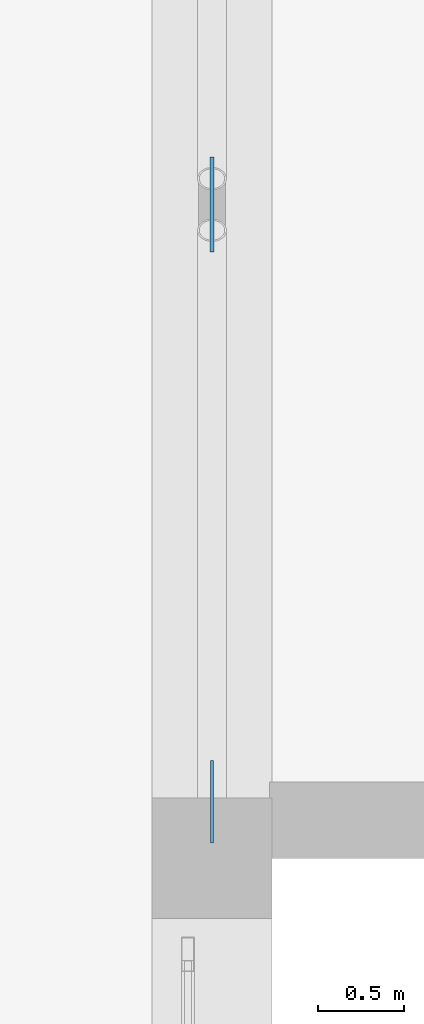
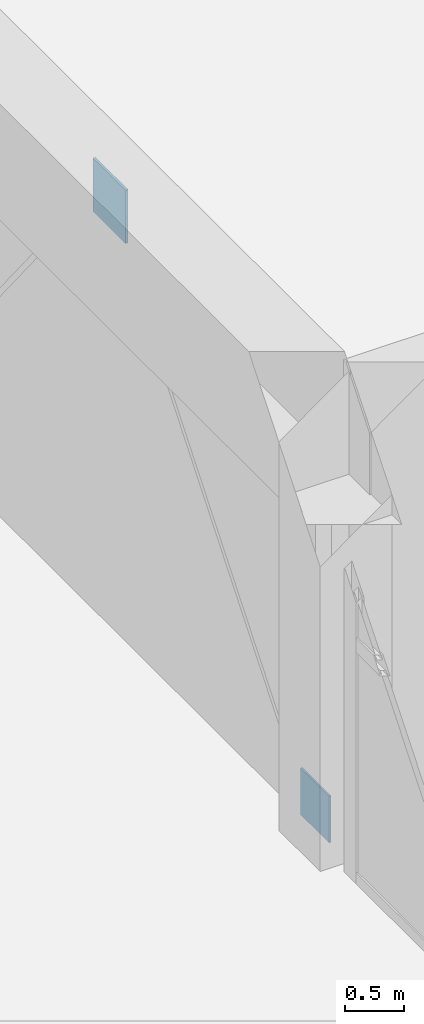
# One storey, part 59 of 72: 2 plates.
"""IFC4 building model written with IfcOpenShell, lengths in metres."""

from ifc_helpers import new_model, si_unit, direction, frame, origin, origin_2d, place, context, subcontext, project, spatial, rectangle, extrude, material, layer, layer_set, type_object, element, save


model = new_model("IFC4")

# Units and contexts
model_context = context("Model", 3, precision=1e-05, world=origin(), true_north=direction((0.0, 1.0)))
body_context = subcontext(model_context, "Body", "Model", "MODEL_VIEW")
ifc_project = project(units=[si_unit("LENGTHUNIT", "METRE"), si_unit("AREAUNIT", "SQUARE_METRE"), si_unit("VOLUMEUNIT", "CUBIC_METRE"), si_unit("PLANEANGLEUNIT", "RADIAN"), si_unit("MASSUNIT", "GRAM", prefix="KILO")], contexts=[model_context])

# Site, building, storey
site_placement = place(None, origin())
site = spatial("IfcSite", under=ifc_project, at=site_placement, CompositionType="ELEMENT")
building_placement = place(site_placement, origin())
building = spatial("IfcBuilding", under=site, at=building_placement, Name="Xicomal Pleat Aquarium", CompositionType="ELEMENT")
storey_placement = place(building_placement, frame((0.0, 0.0, 10.5)))
storey = spatial("IfcBuildingStorey", under=building, at=storey_placement, Name="L03", CompositionType="ELEMENT", Elevation=10.5)

# Plates
ifc_material_1 = material(Name="Structural steel A992 Gr 50", Category="steel")
ifc_layer_1 = layer(ifc_material_1, 0.02001953125)
ifc_layer_set_1 = layer_set([ifc_layer_1], Name="Structural steel A992 Gr 50")
plate_type_1 = type_object("IfcPlateType", Name="PLT-CAP-20", PredefinedType="SHEET", material=ifc_layer_set_1)
plate_1_placement = place(storey_placement, frame((94.199951171875, 38.330078125, -0.090087890625), z_axis=(0.0, 0.0, 1.0), x_axis=(0.0, 1.0, 0.0)))
element("IfcPlate", 1, at=plate_1_placement, inside=storey, type_object=plate_type_1, Name="L03 HSS end cap plate 18", PredefinedType="SHEET", context=body_context, shape_type="SweptSolid", body=[
    extrude(rectangle(XDim=0.47998046875, YDim=0.02001953125, at=origin_2d()), origin(), (0.0, 0.0, 1.0), 0.47998046875),
])
ifc_material_2 = material(Name="Structural steel A992 Gr 50", Category="steel")
ifc_layer_2 = layer(ifc_material_2, 0.02490234375)
ifc_layer_set_2 = layer_set([ifc_layer_2], Name="Structural steel A992 Gr 50")
plate_type_2 = type_object("IfcPlateType", Name="PLT-GUS-25", PredefinedType="USERDEFINED", material=ifc_layer_set_2)
plate_2_placement = place(storey_placement, frame((94.199951171875, 41.800048828125, 4.009765625), z_axis=(0.0, 0.0, 1.0), x_axis=(0.0, 1.0, 0.0)))
element("IfcPlate", 2, at=plate_2_placement, inside=storey, type_object=plate_type_2, Name="L03 chevron gusset node plate 18", ObjectType="GUSSET PLATE", PredefinedType="USERDEFINED", context=body_context, shape_type="SweptSolid", body=[
    extrude(rectangle(XDim=0.550048828125, YDim=0.02490234375, at=origin_2d()), origin(), (0.0, 0.0, 1.0), 0.550048828125),
])

save(model, "model.ifc")
